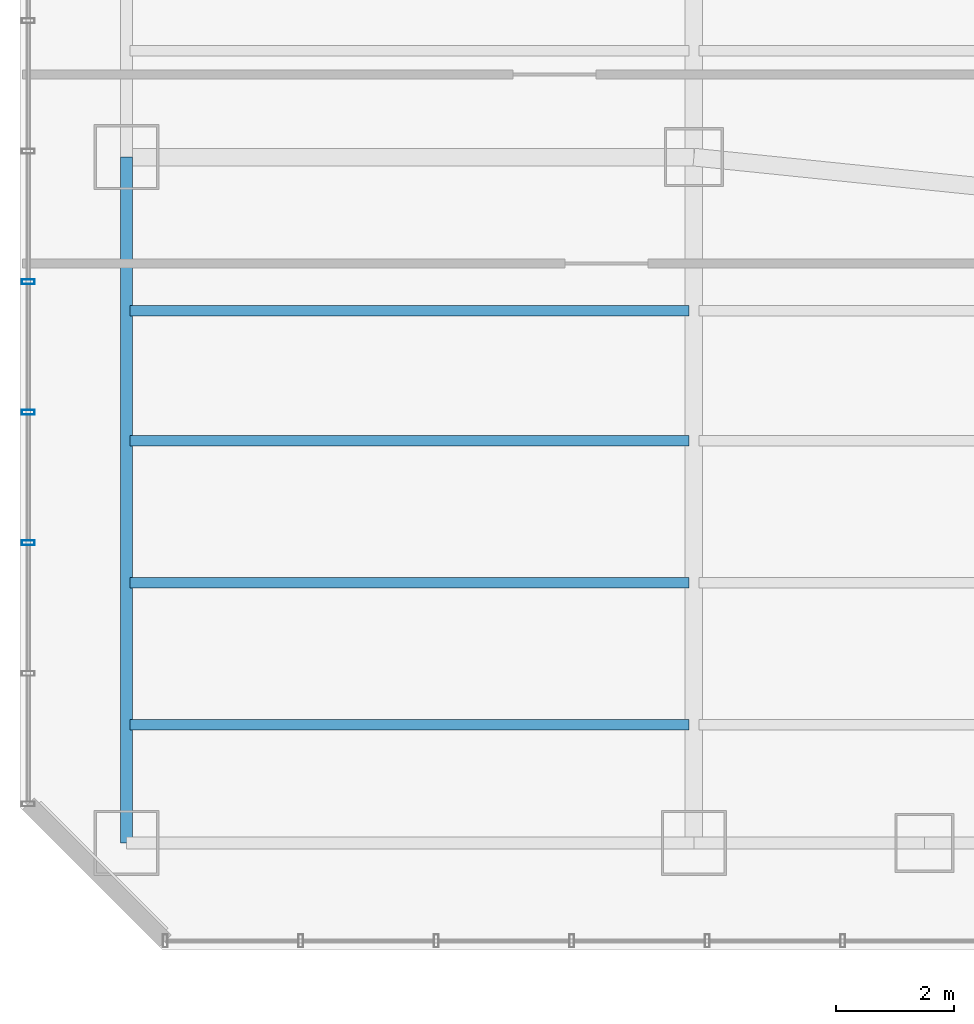
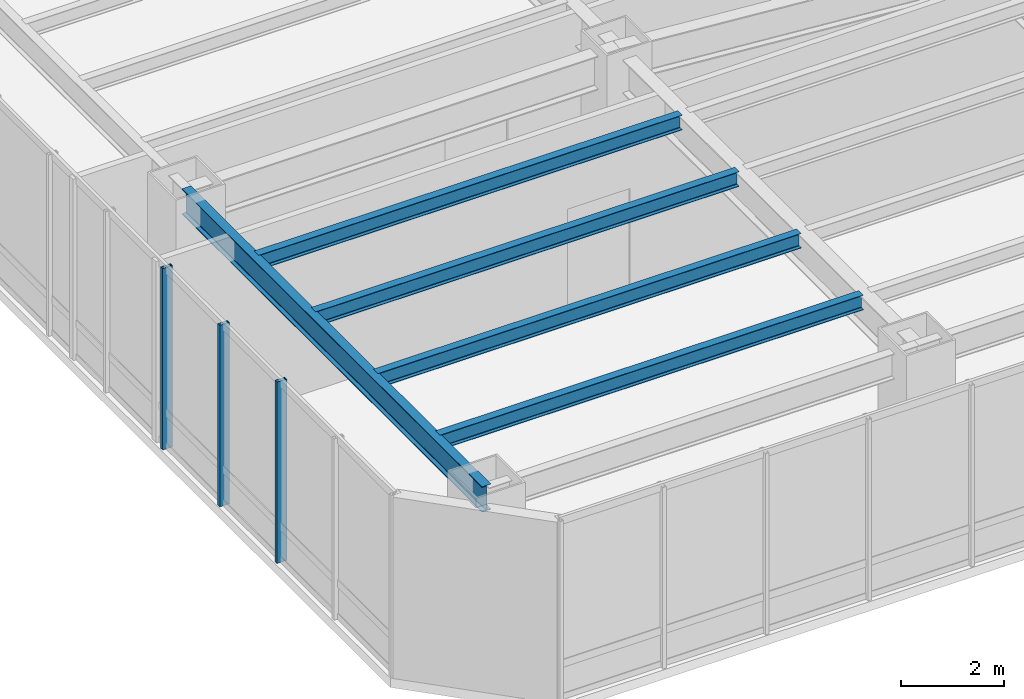
# One storey, part 3 of 29: 5 beams, 3 members, 1 element without a shape of its own.
"""IFC4 building model written with IfcOpenShell, lengths in metres."""

from ifc_helpers import new_model, si_unit, direction, frame, origin, origin_2d, place, context, subcontext, project, spatial, hollow_rectangle, i_section, extrude, material, layer, layer_set, material_profile, profile_set, type_object, element, aggregate, save


model = new_model("IFC4")

# Units and contexts
model_context = context("Model", 3, precision=1e-05, world=origin(), true_north=direction((0.0, 1.0)))
body_context = subcontext(model_context, "Body", "Model", "MODEL_VIEW")
ifc_project = project(units=[si_unit("LENGTHUNIT", "METRE"), si_unit("AREAUNIT", "SQUARE_METRE"), si_unit("VOLUMEUNIT", "CUBIC_METRE"), si_unit("PLANEANGLEUNIT", "RADIAN"), si_unit("MASSUNIT", "GRAM", prefix="KILO")], contexts=[model_context])

# Site, building, storey
site_placement = place(None, origin())
site = spatial("IfcSite", under=ifc_project, at=site_placement, CompositionType="ELEMENT")
building_placement = place(site_placement, origin())
building = spatial("IfcBuilding", under=site, at=building_placement, Name="Hatsunagi Terrace Concourse", CompositionType="ELEMENT")
storey_placement = place(building_placement, frame((0.0, 0.0, 32.10009765625)))
storey = spatial("IfcBuildingStorey", under=building, at=storey_placement, Name="L07", CompositionType="ELEMENT", Elevation=32.10009765625)

# Curtain wall, members
ifc_material_1 = material(Name="Anodised Aluminium Alloy 6063-T5", Category="aluminium")
ifc_layer = layer(ifc_material_1, 0.199951171875)
ifc_layer_set = layer_set([ifc_layer], Name="SkyLobbyAtrium_CW05")
curtain_wall_type = type_object("IfcCurtainWallType", Name="SkyLobbyAtrium_CW05", PredefinedType="NOTDEFINED", material=ifc_layer_set)
curtain_wall_placement = place(storey_placement, origin())
curtain_wall = element("IfcCurtainWall", 1, at=curtain_wall_placement, inside=storey, type_object=curtain_wall_type, Name="Unitised Curtain Wall CW-05 CW-L07-09", PredefinedType="NOTDEFINED")
ifc_material_2 = material(Name="Anodised Aluminium Alloy 6063-T5", Category="aluminium")
ifc_material_profile_1 = material_profile(ifc_material_2, hollow_rectangle(XDim=0.080078125, YDim=0.219970703125, WallThickness=0.0048828125, at=origin_2d()), Name="ALU-MUL-220x80x5")
ifc_profile_set_1 = profile_set([ifc_material_profile_1], Name="Anodised Aluminium Alloy 6063-T5")
member_type = type_object("IfcMemberType", Name="CurtainWallMullion_Heavy_220x80", PredefinedType="MULLION", material=ifc_profile_set_1)
member_1_placement = place(storey_placement, frame((0.139892578125, 30.27490234375, 0.0), z_axis=(0.0, 0.0, 1.0), x_axis=(0.0, 1.0, 0.0)))
member_1 = element("IfcMember", 2, at=member_1_placement, type_object=member_type, Name="Curtain Wall Mullion MUL-01", PredefinedType="MULLION", context=body_context, shape_type="SweptSolid", body=[
    extrude(hollow_rectangle(XDim=0.080078125, YDim=0.219970703125, WallThickness=0.0048828125, at=origin_2d()), origin(), (0.0, 0.0, 1.0), 4.27978515625),
])
member_2_placement = place(storey_placement, frame((0.139892578125, 32.48291015625, 0.0), z_axis=(0.0, 0.0, 1.0), x_axis=(0.0, 1.0, 0.0)))
member_2 = element("IfcMember", 3, at=member_2_placement, type_object=member_type, Name="Curtain Wall Mullion MUL-01", PredefinedType="MULLION", context=body_context, shape_type="SweptSolid", body=[
    extrude(hollow_rectangle(XDim=0.080078125, YDim=0.219970703125, WallThickness=0.0048828125, at=origin_2d()), origin(), (0.0, 0.0, 1.0), 4.27978515625),
])
member_3_placement = place(storey_placement, frame((0.139892578125, 34.69189453125, 0.0), z_axis=(0.0, 0.0, 1.0), x_axis=(0.0, 1.0, 0.0)))
member_3 = element("IfcMember", 4, at=member_3_placement, type_object=member_type, Name="Curtain Wall Mullion MUL-01", PredefinedType="MULLION", context=body_context, shape_type="SweptSolid", body=[
    extrude(hollow_rectangle(XDim=0.080078125, YDim=0.219970703125, WallThickness=0.0048828125, at=origin_2d()), origin(), (0.0, 0.0, 1.0), 4.27978515625),
])
aggregate(curtain_wall, [member_1, member_2, member_3])

# Beams
ifc_material_3 = material(Name="Steel SN490B", Category="steel")
ifc_material_profile_2 = material_profile(ifc_material_3, i_section(OverallWidth=0.175048828125, OverallDepth=0.35009765625, WebThickness=0.007080078125, FlangeThickness=0.010986328125, FilletRadius=0.012939453125, at=origin_2d()), Name="H-350x175x7x11")
ifc_profile_set_2 = profile_set([ifc_material_profile_2], Name="Steel SN490B")
beam_type_1 = type_object("IfcBeamType", Name="HotelJoist_H_350x175", PredefinedType="JOIST", material=ifc_profile_set_2)
for number, where, z_axis, x_axis, name in (
    (5, (1.864990234375, 27.199951171875, 4.10498046875), (1.0, 0.0, 0.0), (0.0, 1.0, 0.0), "Beam J-02 J-L07-W-1-272"),
    (6, (1.864990234375, 29.60009765625, 4.10498046875), (1.0, 0.0, 0.0), (0.0, 1.0, 0.0), "Beam J-02 J-L07-W-1-296"),
    (7, (1.864990234375, 32.0, 4.10498046875), (1.0, 0.0, 0.0), (0.0, 1.0, 0.0), "Beam J-02 J-L07-W-1-320"),
    (8, (1.864990234375, 34.199951171875, 4.10498046875), (1.0, 0.0, 0.0), (0.0, 1.0, 0.0), "Beam J-02 J-L07-W-1-342"),
):
    element("IfcBeam", number, at=place(storey_placement, frame(where, z_axis=z_axis, x_axis=x_axis)), inside=storey, type_object=beam_type_1, Name=name, PredefinedType="JOIST", context=body_context, shape_type="SweptSolid", body=[
        extrude(i_section(OverallWidth=0.175048828125, OverallDepth=0.35009765625, WebThickness=0.007080078125, FlangeThickness=0.010986328125, FilletRadius=0.012939453125, at=origin_2d()), origin(), (0.0, 0.0, 1.0), 9.449951171875),
    ])
ifc_material_4 = material(Name="Steel SN490B", Category="steel")
ifc_material_profile_3 = material_profile(ifc_material_4, i_section(OverallWidth=0.199951171875, OverallDepth=0.60009765625, WebThickness=0.010986328125, FlangeThickness=0.01708984375, FilletRadius=0.01806640625, at=origin_2d()), Name="H-600x200x11x17")
ifc_profile_set_3 = profile_set([ifc_material_profile_3], Name="Steel SN490B")
beam_type_2 = type_object("IfcBeamType", Name="PerimeterSpandrel_H_600x200", PredefinedType="SPANDREL", material=ifc_profile_set_3)
beam_placement = place(storey_placement, frame((1.800048828125, 25.199951171875, 3.97998046875), z_axis=(0.0, 1.0, 0.0), x_axis=(-1.0, 0.0, 0.0)))
element("IfcBeam", 9, at=beam_placement, inside=storey, type_object=beam_type_2, Name="Beam SP-01 BM-L07-NS-1-25", PredefinedType="SPANDREL", context=body_context, shape_type="SweptSolid", body=[
    extrude(i_section(OverallWidth=0.199951171875, OverallDepth=0.60009765625, WebThickness=0.010986328125, FlangeThickness=0.01708984375, FilletRadius=0.01806640625, at=origin_2d()), origin(), (0.0, 0.0, 1.0), 11.60009765625),
])

save(model, "model.ifc")
